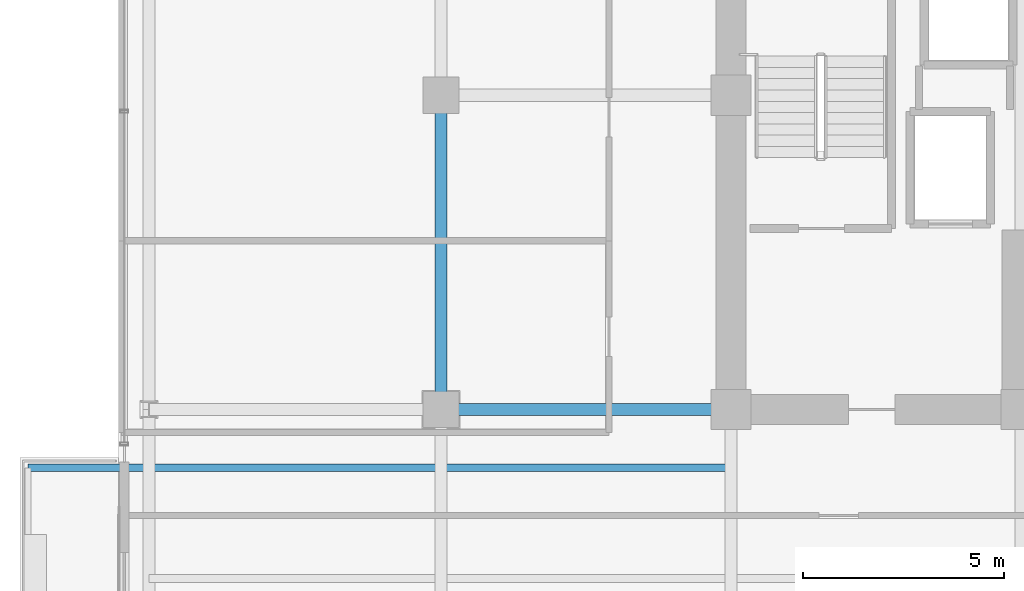
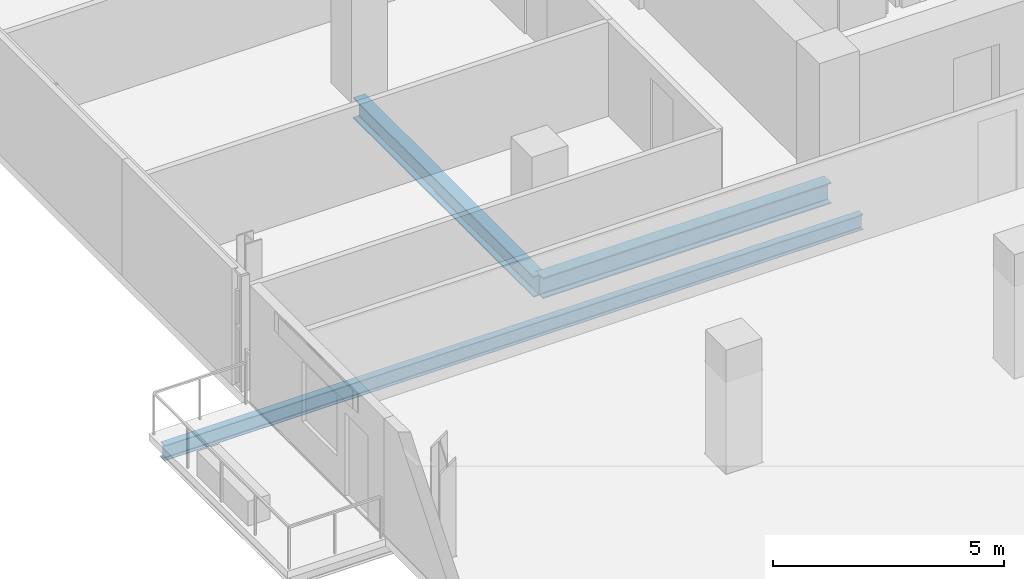
# One storey, part 7 of 28: 3 beams.
"""IFC4 building model written with IfcOpenShell, lengths in metres."""

from ifc_helpers import new_model, si_unit, direction, frame, origin, origin_2d, place, context, subcontext, project, spatial, i_section, extrude, material, material_profile, profile_set, type_object, element, save


model = new_model("IFC4")

# Units and contexts
model_context = context("Model", 3, precision=1e-05, world=origin(), true_north=direction((0.0, 1.0)))
body_context = subcontext(model_context, "Body", "Model", "MODEL_VIEW")
ifc_project = project(units=[si_unit("LENGTHUNIT", "METRE"), si_unit("AREAUNIT", "SQUARE_METRE"), si_unit("VOLUMEUNIT", "CUBIC_METRE"), si_unit("PLANEANGLEUNIT", "RADIAN"), si_unit("MASSUNIT", "GRAM", prefix="KILO")], contexts=[model_context])

# Site, building, storey
site_placement = place(None, origin())
site = spatial("IfcSite", under=ifc_project, at=site_placement, CompositionType="ELEMENT")
building_placement = place(site_placement, origin())
building = spatial("IfcBuilding", under=site, at=building_placement, Name="Zarnakvel Exchange Tower", CompositionType="ELEMENT")
storey_placement = place(building_placement, frame((0.0, 0.0, 109.89990234375)))
storey = spatial("IfcBuildingStorey", under=building, at=storey_placement, Name="L30", CompositionType="ELEMENT", Elevation=109.89990234375)

# Beams
ifc_material = material(Name="Steel S355", Category="steel")
ifc_material_profile_1 = material_profile(ifc_material, i_section(OverallWidth=0.179931640625, OverallDepth=0.39990234375, WebThickness=0.008544921875, FlangeThickness=0.013427734375, FilletRadius=0.02099609375, at=origin_2d()))
ifc_profile_set_1 = profile_set([ifc_material_profile_1], Name="Steel S355")
beam_type_1 = type_object("IfcBeamType", Name="B-06", PredefinedType="JOIST", material=ifc_profile_set_1)
beam_1_placement = place(storey_placement, frame((-14.39990234375, -2.64990234375, -0.4248046875), z_axis=(-1.0, 0.0, 0.0), x_axis=(0.0, -1.0, 0.0)))
element("IfcBeam", 1, at=beam_1_placement, inside=storey, type_object=beam_type_1, Name="L30 Continuous West Loggia Beam N", PredefinedType="JOIST", context=body_context, shape_type="SweptSolid", body=[
    extrude(i_section(OverallWidth=0.179931640625, OverallDepth=0.39990234375, WebThickness=0.008544921875, FlangeThickness=0.013427734375, FilletRadius=0.02099609375, at=origin_2d()), origin(), (0.0, 0.0, 1.0), 17.4501953125),
])
ifc_material_profile_2 = material_profile(ifc_material, i_section(OverallWidth=0.300048828125, OverallDepth=0.550048828125, WebThickness=0.014892578125, FlangeThickness=0.029052734375, FilletRadius=0.027099609375, at=origin_2d()))
ifc_profile_set_2 = profile_set([ifc_material_profile_2], Name="Steel S355")
beam_type_2 = type_object("IfcBeamType", Name="G-05", PredefinedType="BEAM", material=ifc_profile_set_2)
beam_2_placement = place(storey_placement, frame((-21.60009765625, -1.199951171875, -0.5), z_axis=(1.0, 0.0, 0.0), x_axis=(0.0, 1.0, 0.0)))
element("IfcBeam", 2, at=beam_2_placement, inside=storey, type_object=beam_type_2, Name="L30 Tower E-W Frame Beam", PredefinedType="BEAM", context=body_context, shape_type="SweptSolid", body=[
    extrude(i_section(OverallWidth=0.300048828125, OverallDepth=0.550048828125, WebThickness=0.014892578125, FlangeThickness=0.029052734375, FilletRadius=0.027099609375, at=origin_2d()), origin(), (0.0, 0.0, 1.0), 7.2001953125),
])
beam_3_placement = place(storey_placement, frame((-21.60009765625, -1.199951171875, -0.5), z_axis=(0.0, 1.0, 0.0), x_axis=(-1.0, 0.0, 0.0)))
element("IfcBeam", 3, at=beam_3_placement, inside=storey, type_object=beam_type_2, Name="L30 Tower N-S Frame Beam", PredefinedType="BEAM", context=body_context, shape_type="SweptSolid", body=[
    extrude(i_section(OverallWidth=0.300048828125, OverallDepth=0.550048828125, WebThickness=0.014892578125, FlangeThickness=0.029052734375, FilletRadius=0.027099609375, at=origin_2d()), origin(), (0.0, 0.0, 1.0), 7.800048828125),
])

save(model, "model.ifc")
